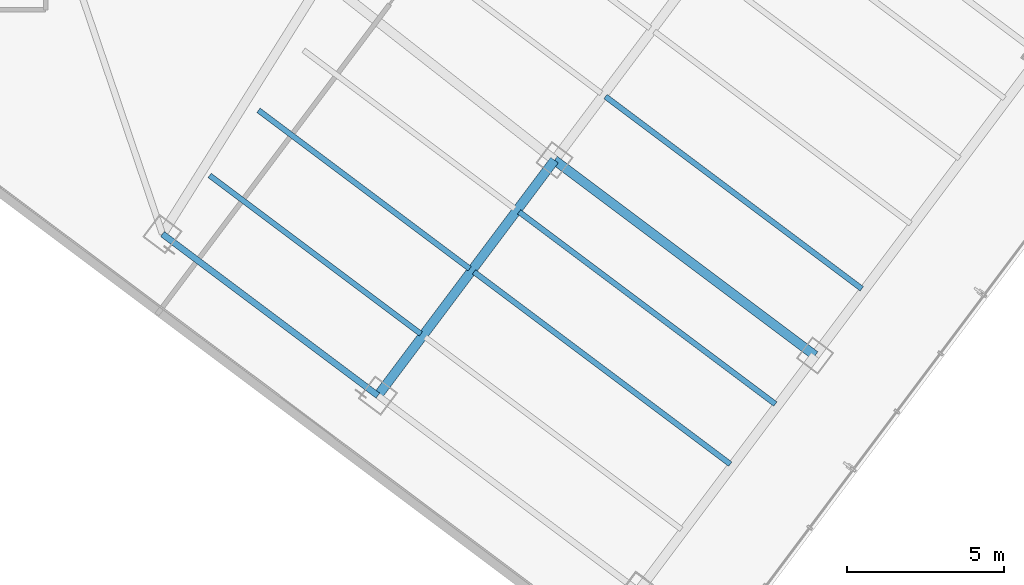
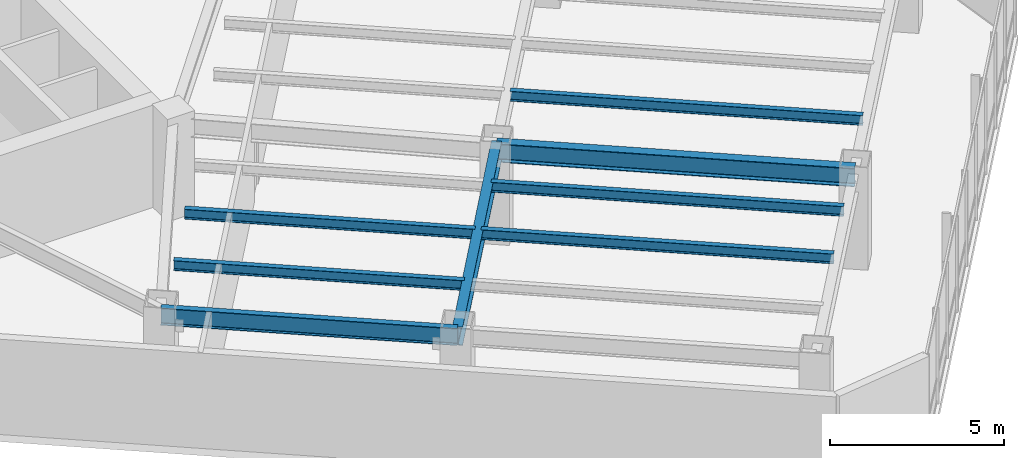
# One storey, part 7 of 29: 8 beams.
"""IFC4 building model written with IfcOpenShell, lengths in metres."""

from ifc_helpers import new_model, si_unit, direction, frame, origin, origin_2d, place, context, subcontext, project, spatial, i_section, extrude, material, material_profile, profile_set, type_object, element, save


model = new_model("IFC4")

# Units and contexts
model_context = context("Model", 3, precision=1e-05, world=origin(), true_north=direction((0.0, 1.0)))
body_context = subcontext(model_context, "Body", "Model", "MODEL_VIEW")
ifc_project = project(units=[si_unit("LENGTHUNIT", "METRE"), si_unit("AREAUNIT", "SQUARE_METRE"), si_unit("VOLUMEUNIT", "CUBIC_METRE"), si_unit("PLANEANGLEUNIT", "RADIAN"), si_unit("MASSUNIT", "GRAM", prefix="KILO")], contexts=[model_context])

# Site, building, storey
site_placement = place(None, origin())
site = spatial("IfcSite", under=ifc_project, at=site_placement, CompositionType="ELEMENT")
building_placement = place(site_placement, origin())
building = spatial("IfcBuilding", under=site, at=building_placement, Name="Hatsunagi Terrace Concourse", CompositionType="ELEMENT")
storey_placement = place(building_placement, frame((0.0, 0.0, 104.85009765625)))
storey = spatial("IfcBuildingStorey", under=building, at=storey_placement, Name="L27", CompositionType="ELEMENT", Elevation=104.85009765625)

# Beams
ifc_material_1 = material(Name="Steel SN490B", Category="steel")
ifc_material_profile_1 = material_profile(ifc_material_1, i_section(OverallWidth=0.175048828125, OverallDepth=0.35009765625, WebThickness=0.007080078125, FlangeThickness=0.010986328125, FilletRadius=0.012939453125, at=origin_2d()), Name="H-350x175x7x11")
ifc_profile_set_1 = profile_set([ifc_material_profile_1], Name="Steel SN490B")
beam_type_1 = type_object("IfcBeamType", Name="HotelJoist_H_350x175", PredefinedType="JOIST", material=ifc_profile_set_1)
for number, where, z_axis, x_axis, name in (
    (1, (40.18798828125, 17.908935546875, 3.1748046875), (0.800003475366, -0.59999536615, 0.0), (0.59999536615, 0.800003475366, 0.0), "Beam J-02 J-L27-SE-2-46"),
    (2, (41.748046875, 19.989013671875, 3.1748046875), (0.799989573921, -0.600013901187, 0.0), (0.600013901187, 0.799989573921, 0.0), "Beam J-02 J-L27-SE-2-72"),
):
    element("IfcBeam", number, at=place(storey_placement, frame(where, z_axis=z_axis, x_axis=x_axis)), inside=storey, type_object=beam_type_1, Name=name, PredefinedType="JOIST", context=body_context, shape_type="SweptSolid", body=[
        extrude(i_section(OverallWidth=0.175048828125, OverallDepth=0.35009765625, WebThickness=0.007080078125, FlangeThickness=0.010986328125, FilletRadius=0.012939453125, at=origin_2d()), origin(), (0.0, 0.0, 1.0), 8.429931640625),
    ])
beam_1_placement = place(storey_placement, frame((48.6279296875, 14.8291015625, 3.1748046875), z_axis=(0.799994272423, -0.600007636694, 0.0), x_axis=(0.600007636694, 0.799994272423, 0.0)))
element("IfcBeam", 3, at=beam_1_placement, inside=storey, type_object=beam_type_1, Name="Beam J-02 J-L27-SE-3-72", PredefinedType="JOIST", context=body_context, shape_type="SweptSolid", body=[
    extrude(i_section(OverallWidth=0.175048828125, OverallDepth=0.35009765625, WebThickness=0.007080078125, FlangeThickness=0.010986328125, FilletRadius=0.012939453125, at=origin_2d()), origin(), (0.0, 0.0, 1.0), 10.230224609375),
])
beam_2_placement = place(storey_placement, frame((50.068115234375, 16.7490234375, 3.1748046875), z_axis=(0.799997136125, -0.600003818481, 0.0), x_axis=(0.600003818481, 0.799997136125, 0.0)))
element("IfcBeam", 4, at=beam_2_placement, inside=storey, type_object=beam_type_1, Name="Beam J-02 J-L27-SE-3-96", PredefinedType="JOIST", context=body_context, shape_type="SweptSolid", body=[
    extrude(i_section(OverallWidth=0.175048828125, OverallDepth=0.35009765625, WebThickness=0.007080078125, FlangeThickness=0.010986328125, FilletRadius=0.012939453125, at=origin_2d()), origin(), (0.0, 0.0, 1.0), 10.229736328125),
])
beam_3_placement = place(storey_placement, frame((52.827880859375, 20.428955078125, 3.1748046875), z_axis=(0.800005727586, -0.599992363142, 0.0), x_axis=(0.599992363142, 0.800005727586, 0.0)))
element("IfcBeam", 5, at=beam_3_placement, inside=storey, type_object=beam_type_1, Name="Beam J-02 J-L27-SE-3-142", PredefinedType="JOIST", context=body_context, shape_type="SweptSolid", body=[
    extrude(i_section(OverallWidth=0.175048828125, OverallDepth=0.35009765625, WebThickness=0.007080078125, FlangeThickness=0.010986328125, FilletRadius=0.012939453125, at=origin_2d()), origin(), (0.0, 0.0, 1.0), 10.22998046875),
])
ifc_material_2 = material(Name="Steel SN490B", Category="steel")
ifc_material_profile_2 = material_profile(ifc_material_2, i_section(OverallWidth=0.300048828125, OverallDepth=0.64990234375, WebThickness=0.012939453125, FlangeThickness=0.02197265625, FilletRadius=0.01806640625, at=origin_2d()), Name="H-650x300x13x22")
ifc_profile_set_2 = profile_set([ifc_material_profile_2], Name="Steel SN490B")
beam_type_2 = type_object("IfcBeamType", Name="OfficeLowGirder_H_650x300", PredefinedType="BEAM", material=ifc_profile_set_2)
beam_4_placement = place(storey_placement, frame((45.56005859375, 10.8798828125, 3.02490234375), z_axis=(0.599991688754, 0.800006233367, 0.0), x_axis=(-0.800006233367, 0.599991688754, 0.0)))
element("IfcBeam", 6, at=beam_4_placement, inside=storey, type_object=beam_type_2, Name="Beam G-05 BM-L27-SET-2A", PredefinedType="BEAM", context=body_context, shape_type="SweptSolid", body=[
    extrude(i_section(OverallWidth=0.300048828125, OverallDepth=0.64990234375, WebThickness=0.012939453125, FlangeThickness=0.02197265625, FilletRadius=0.01806640625, at=origin_2d()), origin(), (0.0, 0.0, 1.0), 9.39990234375),
])
beam_5_placement = place(storey_placement, frame((51.199951171875, 18.39990234375, 3.02490234375), z_axis=(0.800002816985, -0.599996244001, 0.0), x_axis=(0.599996244001, 0.800002816985, 0.0)))
element("IfcBeam", 7, at=beam_5_placement, inside=storey, type_object=beam_type_2, Name="Beam G-05 BM-L27-SE-M3", PredefinedType="BEAM", context=body_context, shape_type="SweptSolid", body=[
    extrude(i_section(OverallWidth=0.300048828125, OverallDepth=0.64990234375, WebThickness=0.012939453125, FlangeThickness=0.02197265625, FilletRadius=0.01806640625, at=origin_2d()), origin(), (0.0, 0.0, 1.0), 10.400146484375),
])
ifc_material_3 = material(Name="Steel SN490B", Category="steel")
ifc_material_profile_3 = material_profile(ifc_material_3, i_section(OverallWidth=0.199951171875, OverallDepth=0.60009765625, WebThickness=0.010986328125, FlangeThickness=0.01708984375, FilletRadius=0.01806640625, at=origin_2d()), Name="H-600x200x11x17")
ifc_profile_set_3 = profile_set([ifc_material_profile_3], Name="Steel SN490B")
beam_type_3 = type_object("IfcBeamType", Name="PerimeterSpandrel_H_600x200", PredefinedType="SPANDREL", material=ifc_profile_set_3)
beam_6_placement = place(storey_placement, frame((38.679931640625, 16.0400390625, 3.0498046875), z_axis=(0.799996593451, -0.600004542038, 0.0), x_axis=(0.600004542038, 0.799996593451, 0.0)))
element("IfcBeam", 8, at=beam_6_placement, inside=storey, type_object=beam_type_3, Name="Beam SP-01 BM-L27-SE-SW2", PredefinedType="SPANDREL", context=body_context, shape_type="SweptSolid", body=[
    extrude(i_section(OverallWidth=0.199951171875, OverallDepth=0.60009765625, WebThickness=0.010986328125, FlangeThickness=0.01708984375, FilletRadius=0.01806640625, at=origin_2d()), origin(), (0.0, 0.0, 1.0), 8.60009765625),
])

save(model, "model.ifc")
